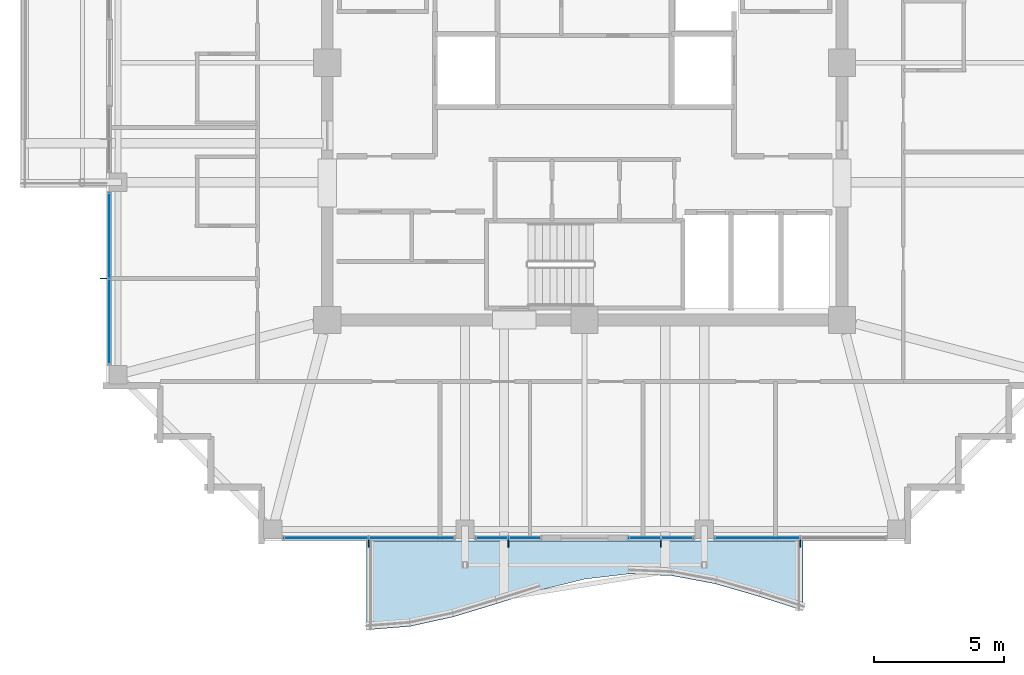
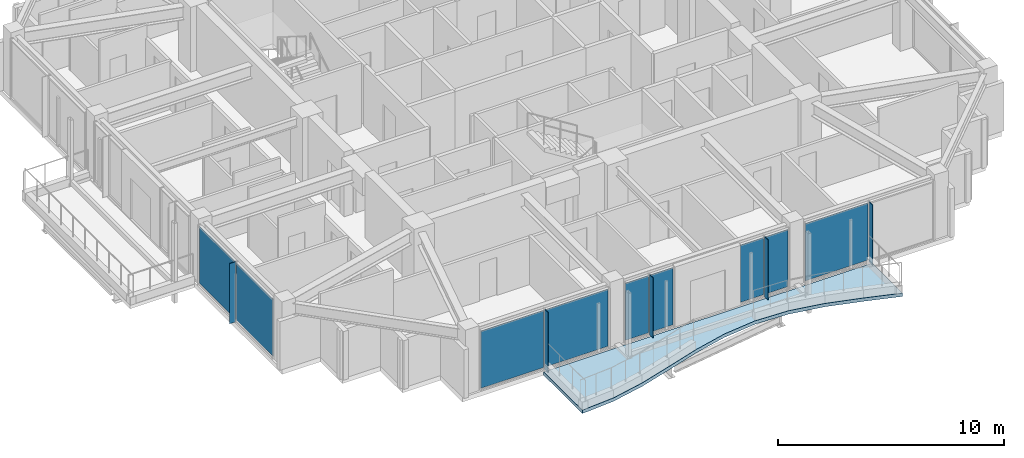
# One storey, part 21 of 34: 14 plates, 1 slab, 5 elements without a shape of their own.
"""IFC4 building model written with IfcOpenShell, lengths in metres."""

from ifc_helpers import new_model, si_unit, direction, frame, origin, origin_2d, place, context, subcontext, project, spatial, polyline, rectangle, outline, extrude, material, layer, layer_set, type_object, element, aggregate, save


model = new_model("IFC4")

# Units and contexts
model_context = context("Model", 3, precision=1e-05, world=origin(), true_north=direction((0.0, 1.0)))
body_context = subcontext(model_context, "Body", "Model", "MODEL_VIEW")
ifc_project = project(units=[si_unit("LENGTHUNIT", "METRE"), si_unit("AREAUNIT", "SQUARE_METRE"), si_unit("VOLUMEUNIT", "CUBIC_METRE"), si_unit("PLANEANGLEUNIT", "RADIAN"), si_unit("MASSUNIT", "GRAM", prefix="KILO")], contexts=[model_context])

# Site, building, storey
site_placement = place(None, origin())
site = spatial("IfcSite", under=ifc_project, at=site_placement, CompositionType="ELEMENT")
building_placement = place(site_placement, origin())
building = spatial("IfcBuilding", under=site, at=building_placement, Name="Kolvaren Belvedere", CompositionType="ELEMENT")
storey_placement = place(building_placement, frame((0.0, 0.0, 240.89990234375)))
storey = spatial("IfcBuildingStorey", under=building, at=storey_placement, Name="L70", CompositionType="ELEMENT", Elevation=240.89990234375)

# Curtain wall, plate
ifc_material_1 = material(Name="Anodised pale-metal aluminium AA 6063-T6", Category="aluminium")
curtain_wall_type = type_object("IfcCurtainWallType", Name="CW-Z5-HIGH", PredefinedType="NOTDEFINED", material=ifc_material_1)
curtain_wall_1_placement = place(storey_placement, origin())
curtain_wall_1 = element("IfcCurtainWall", 1, at=curtain_wall_1_placement, inside=storey, type_object=curtain_wall_type, Name="L70 Unitised Curtain Wall FCW-L70-S1-B1", PredefinedType="NOTDEFINED")
ifc_material_2 = material(Name="Low-iron triple insulated glass", Category="glass")
ifc_layer_1 = layer(ifc_material_2, 0.028076171875)
ifc_layer_set_1 = layer_set([ifc_layer_1], Name="Low-iron triple insulated glass")
plate_type_1 = type_object("IfcPlateType", Name="CW-PNL-VIS28", PredefinedType="CURTAIN_PANEL", material=ifc_layer_set_1)
plate_1_placement = place(storey_placement, frame((6.652587890625, -18.280029296875, 0.080078125), z_axis=(0.0, 0.0, 1.0), x_axis=(-1.0, 0.0, 0.0)))
plate_1 = element("IfcPlate", 2, at=plate_1_placement, type_object=plate_type_1, Name="FCW-L70-S1-B1 Vision Glazing Panel 2", PredefinedType="CURTAIN_PANEL", context=body_context, shape_type="SweptSolid", body=[
    extrude(rectangle(XDim=3.215087890625, YDim=0.028076171875, at=origin_2d()), origin(), (0.0, 0.0, 1.0), 3.090087890625),
])
aggregate(curtain_wall_1, [plate_1])

# Curtain wall, plates
curtain_wall_2_placement = place(storey_placement, origin())
curtain_wall_2 = element("IfcCurtainWall", 3, at=curtain_wall_2_placement, inside=storey, type_object=curtain_wall_type, Name="L70 Unitised Curtain Wall FCW-L70-S1-B2", PredefinedType="NOTDEFINED")
plate_2_placement = place(storey_placement, frame((3.56640625, -18.280029296875, 0.080078125), z_axis=(0.0, 0.0, 1.0), x_axis=(-1.0, 0.0, 0.0)))
plate_2 = element("IfcPlate", 4, at=plate_2_placement, type_object=plate_type_1, Name="FCW-L70-S1-B2 Vision Glazing Panel 1", PredefinedType="CURTAIN_PANEL", context=body_context, shape_type="SweptSolid", body=[
    extrude(rectangle(XDim=1.177490234375, YDim=0.028076171875, at=origin_2d()), origin(), (0.0, 0.0, 1.0), 3.090087890625),
])
plate_3_placement = place(storey_placement, frame((2.30859375, -18.280029296875, 0.080078125), z_axis=(0.0, 0.0, 1.0), x_axis=(-1.0, 0.0, 0.0)))
plate_3 = element("IfcPlate", 5, at=plate_3_placement, type_object=plate_type_1, Name="FCW-L70-S1-B2 Vision Glazing Panel 2", PredefinedType="CURTAIN_PANEL", context=body_context, shape_type="SweptSolid", body=[
    extrude(rectangle(XDim=1.177490234375, YDim=0.028076171875, at=origin_2d()), origin(), (0.0, 0.0, 1.0), 3.090087890625),
])
aggregate(curtain_wall_2, [plate_2, plate_3])

curtain_wall_3_placement = place(storey_placement, origin())
curtain_wall_3 = element("IfcCurtainWall", 6, at=curtain_wall_3_placement, inside=storey, type_object=curtain_wall_type, Name="L70 Unitised Curtain Wall FCW-L70-S2-B1", PredefinedType="NOTDEFINED")
plate_4_placement = place(storey_placement, frame((-2.30859375, -18.280029296875, 0.080078125), z_axis=(0.0, 0.0, 1.0), x_axis=(-1.0, 0.0, 0.0)))
plate_4 = element("IfcPlate", 7, at=plate_4_placement, type_object=plate_type_1, Name="FCW-L70-S2-B1 Vision Glazing Panel 1", PredefinedType="CURTAIN_PANEL", context=body_context, shape_type="SweptSolid", body=[
    extrude(rectangle(XDim=1.177490234375, YDim=0.028076171875, at=origin_2d()), origin(), (0.0, 0.0, 1.0), 3.090087890625),
])
plate_5_placement = place(storey_placement, frame((-3.56640625, -18.280029296875, 0.080078125), z_axis=(0.0, 0.0, 1.0), x_axis=(-1.0, 0.0, 0.0)))
plate_5 = element("IfcPlate", 8, at=plate_5_placement, type_object=plate_type_1, Name="FCW-L70-S2-B1 Vision Glazing Panel 2", PredefinedType="CURTAIN_PANEL", context=body_context, shape_type="SweptSolid", body=[
    extrude(rectangle(XDim=1.177490234375, YDim=0.028076171875, at=origin_2d()), origin(), (0.0, 0.0, 1.0), 3.090087890625),
])
aggregate(curtain_wall_3, [plate_4, plate_5])

curtain_wall_4_placement = place(storey_placement, origin())
curtain_wall_4 = element("IfcCurtainWall", 9, at=curtain_wall_4_placement, inside=storey, type_object=curtain_wall_type, Name="L70 Unitised Curtain Wall FCW-L70-S2-B2", PredefinedType="NOTDEFINED")
plate_6_placement = place(storey_placement, frame((-6.652587890625, -18.280029296875, 0.080078125), z_axis=(0.0, 0.0, 1.0), x_axis=(-1.0, 0.0, 0.0)))
plate_6 = element("IfcPlate", 10, at=plate_6_placement, type_object=plate_type_1, Name="FCW-L70-S2-B2 Vision Glazing Panel 1", PredefinedType="CURTAIN_PANEL", context=body_context, shape_type="SweptSolid", body=[
    extrude(rectangle(XDim=3.215087890625, YDim=0.028076171875, at=origin_2d()), origin(), (0.0, 0.0, 1.0), 3.090087890625),
])
plate_7_placement = place(storey_placement, frame((-9.947509765625, -18.280029296875, 0.080078125), z_axis=(0.0, 0.0, 1.0), x_axis=(-1.0, 0.0, 0.0)))
plate_7 = element("IfcPlate", 11, at=plate_7_placement, type_object=plate_type_1, Name="FCW-L70-S2-B2 Vision Glazing Panel 2", PredefinedType="CURTAIN_PANEL", context=body_context, shape_type="SweptSolid", body=[
    extrude(rectangle(XDim=3.215087890625, YDim=0.028076171875, at=origin_2d()), origin(), (0.0, 0.0, 1.0), 3.090087890625),
])
aggregate(curtain_wall_4, [plate_6, plate_7])

curtain_wall_5_placement = place(storey_placement, origin())
curtain_wall_5 = element("IfcCurtainWall", 12, at=curtain_wall_5_placement, inside=storey, type_object=curtain_wall_type, Name="L70 Unitised Curtain Wall FCW-L70-W1-B1", PredefinedType="NOTDEFINED")
plate_8_placement = place(storey_placement, frame((-18.280029296875, -9.947509765625, 0.080078125), z_axis=(0.0, 0.0, 1.0), x_axis=(0.0, 1.0, 0.0)))
plate_8 = element("IfcPlate", 13, at=plate_8_placement, type_object=plate_type_1, Name="FCW-L70-W1-B1 Vision Glazing Panel 1", PredefinedType="CURTAIN_PANEL", context=body_context, shape_type="SweptSolid", body=[
    extrude(rectangle(XDim=3.215087890625, YDim=0.028076171875, at=origin_2d()), origin(), (0.0, 0.0, 1.0), 3.090087890625),
])
plate_9_placement = place(storey_placement, frame((-18.280029296875, -6.652587890625, 0.080078125), z_axis=(0.0, 0.0, 1.0), x_axis=(0.0, 1.0, 0.0)))
plate_9 = element("IfcPlate", 14, at=plate_9_placement, type_object=plate_type_1, Name="FCW-L70-W1-B1 Vision Glazing Panel 2", PredefinedType="CURTAIN_PANEL", context=body_context, shape_type="SweptSolid", body=[
    extrude(rectangle(XDim=3.215087890625, YDim=0.028076171875, at=origin_2d()), origin(), (0.0, 0.0, 1.0), 3.090087890625),
])
aggregate(curtain_wall_5, [plate_8, plate_9])

# Plates
ifc_material_3 = material(Name="Anodised pale-metal aluminium AA 6063-T6", Category="aluminium")
ifc_layer_2 = layer(ifc_material_3, 0.030029296875)
ifc_layer_set_2 = layer_set([ifc_layer_2], Name="Anodised pale-metal aluminium AA 6063-T6")
plate_type_2 = type_object("IfcPlateType", Name="FIN-VERT-300", PredefinedType="USERDEFINED", material=ifc_layer_set_2)
for number, where, z_axis, x_axis, name in (
    (15, (8.300048828125, -18.489990234375, 0.0), (0.0, 0.0, 1.0), (0.0, 1.0, 0.0), "L70 Pale-Metal Vertical Shading Fin FCW-L70-S1-B1-1"),
    (16, (2.9375, -18.489990234375, 0.0), (0.0, 0.0, 1.0), (0.0, 1.0, 0.0), "L70 Pale-Metal Vertical Shading Fin FCW-L70-S1-B2-1"),
    (17, (-2.9375, -18.489990234375, 0.0), (0.0, 0.0, 1.0), (0.0, 1.0, 0.0), "L70 Pale-Metal Vertical Shading Fin FCW-L70-S2-B1-1"),
    (18, (-8.300048828125, -18.489990234375, 0.0), (0.0, 0.0, 1.0), (0.0, 1.0, 0.0), "L70 Pale-Metal Vertical Shading Fin FCW-L70-S2-B2-1"),
    (19, (-18.489990234375, -8.300048828125, 0.0), (0.0, 0.0, 1.0), (1.0, 0.0, 0.0), "L70 Pale-Metal Vertical Shading Fin FCW-L70-W1-B1-1"),
):
    element("IfcPlate", number, at=place(storey_placement, frame(where, z_axis=z_axis, x_axis=x_axis)), inside=storey, type_object=plate_type_2, Name=name, ObjectType="VERTICAL FIN", PredefinedType="USERDEFINED", context=body_context, shape_type="SweptSolid", body=[
        extrude(rectangle(XDim=0.300048828125, YDim=0.030029296875, at=origin_2d()), origin(), (0.0, 0.0, 1.0), 3.25),
    ])

# Slab
ifc_material_4 = material(Name="Concrete C50/60", Category="concrete")
ifc_layer_3 = layer(ifc_material_4, 0.179931640625)
ifc_layer_set_3 = layer_set([ifc_layer_3], Name="Concrete C50/60")
slab_type = type_object("IfcSlabType", Name="SL-BAL-180", PredefinedType="FLOOR", material=ifc_layer_set_3)
slab_placement = place(storey_placement, frame((0.0, 0.0, -0.25)))
element("IfcSlab", 20, at=slab_placement, inside=storey, type_object=slab_type, Name="L70 Planted Balcony BAL-S", PredefinedType="FLOOR", context=body_context, shape_type="SweptSolid", body=[
    extrude(outline(polyline([(-8.39990234375, -21.820068359375), (-6.719970703125, -21.686279296875), (-5.0400390625, -21.318603515625), (-3.360107421875, -20.807861328125), (-1.679931640625, -20.2802734375), (0.0, -19.8662109375), (1.679931640625, -19.66845703125), (3.360107421875, -19.73583984375), (5.0400390625, -20.051513671875), (6.719970703125, -20.53759765625), (8.39990234375, -21.07373046875), (8.39990234375, -18.39990234375), (6.719970703125, -18.39990234375), (5.0400390625, -18.39990234375), (3.360107421875, -18.39990234375), (1.679931640625, -18.39990234375), (0.0, -18.39990234375), (-1.679931640625, -18.39990234375), (-3.360107421875, -18.39990234375), (-5.0400390625, -18.39990234375), (-6.719970703125, -18.39990234375), (-8.39990234375, -18.39990234375), (-8.39990234375, -21.820068359375)])), origin(), (0.0, 0.0, 1.0), 0.18017578125),
])

save(model, "model.ifc")
